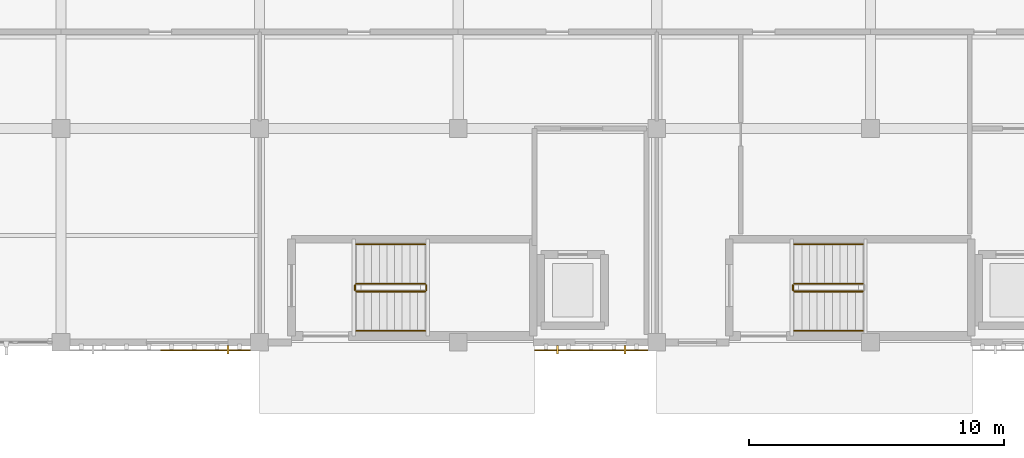
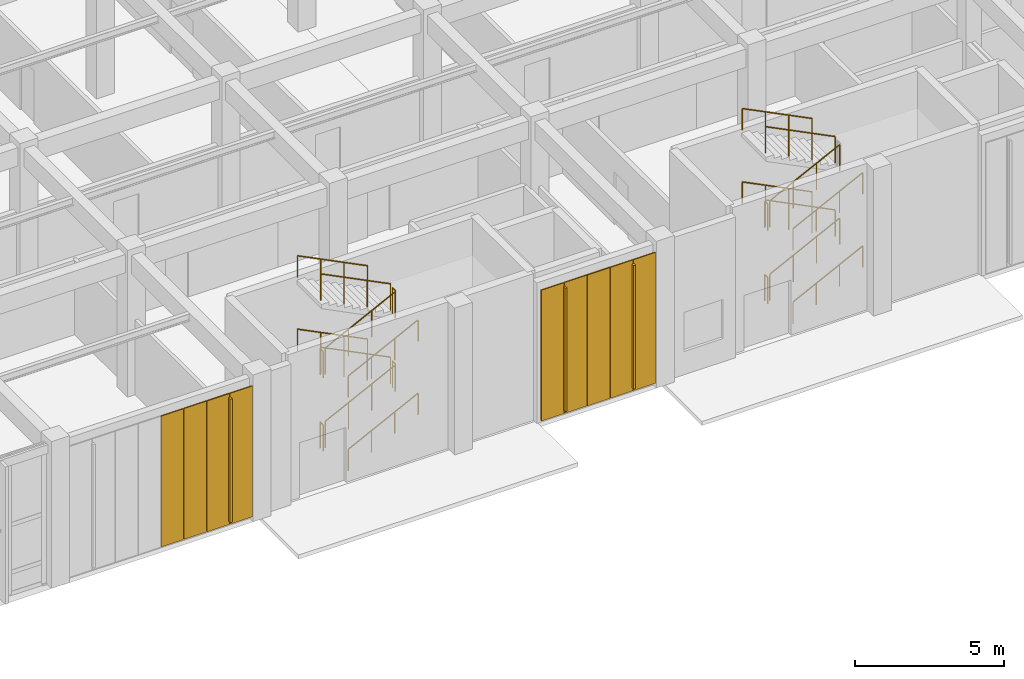
# One storey, part 95 of 110: 22 railings, 9 coverings, 3 shading devices.
"""IFC4 building model written with IfcOpenShell, lengths in metres."""

from ifc_helpers import new_model, si_unit, direction, frame, origin, origin_2d, place, context, subcontext, project, spatial, rectangle, circle, extrude, material, layer, layer_set, type_object, element, save


model = new_model("IFC4")

# Units and contexts
model_context = context("Model", 3, precision=1e-05, world=origin(), true_north=direction((0.0, 1.0)))
body_context = subcontext(model_context, "Body", "Model", "MODEL_VIEW")
ifc_project = project(units=[si_unit("LENGTHUNIT", "METRE"), si_unit("AREAUNIT", "SQUARE_METRE"), si_unit("VOLUMEUNIT", "CUBIC_METRE"), si_unit("PLANEANGLEUNIT", "RADIAN"), si_unit("MASSUNIT", "GRAM", prefix="KILO")], contexts=[model_context])

# Site, building, storey
site_placement = place(None, origin())
site = spatial("IfcSite", under=ifc_project, at=site_placement, CompositionType="ELEMENT")
building_placement = place(site_placement, origin())
building = spatial("IfcBuilding", under=site, at=building_placement, Name="Tizgana Railside Sports Hall", CompositionType="ELEMENT")
storey_placement = place(building_placement, origin())
storey = spatial("IfcBuildingStorey", under=building, at=storey_placement, Name="L00", CompositionType="ELEMENT", Elevation=0.0)

# Shading devices
ifc_material_1 = material(Name="Glulam GL28h", Category="wood")
shading_device_type = type_object("IfcShadingDeviceType", Name="Glulam Vertical Brise-Soleil Fin 320", PredefinedType="JALOUSIE", material=ifc_material_1)
for number, where, z_axis, x_axis, name in (
    (1, (37.75, -0.2939453125, 0.35009765625), (0.0, 0.0, 1.0), (-1.0, 0.0, 0.0), "L00 Glulam Fin FIN-0019"),
    (2, (53.35009765625, -0.2939453125, 0.35009765625), (0.0, 0.0, 1.0), (-1.0, 0.0, 0.0), "L00 Glulam Fin FIN-0021"),
    (3, (50.699951171875, -0.2939453125, 0.35009765625), (0.0, 0.0, 1.0), (-1.0, 0.0, 0.0), "L00 Glulam Fin FIN-0022"),
):
    element("IfcShadingDevice", number, at=place(storey_placement, frame(where, z_axis=z_axis, x_axis=x_axis)), inside=storey, type_object=shading_device_type, Name=name, PredefinedType="JALOUSIE", context=body_context, shape_type="SweptSolid", body=[
        extrude(rectangle(XDim=0.080078125, YDim=0.320068359375, at=origin_2d()), origin(), (0.0, 0.0, 1.0), 5.050048828125),
    ])

# Coverings
ifc_material_2 = material(Name="Anodised perforated aluminium screen", Category="aluminium")
ifc_layer = layer(ifc_material_2, 0.044921875, Name="Anodised perforated aluminium screen")
ifc_layer_set = layer_set([ifc_layer], Name="Anodised perforated aluminium screen")
covering_type = type_object("IfcCoveringType", Name="Perforated Aluminium Hall Screen 900", PredefinedType="CLADDING", material=ifc_layer_set)
for number, where, z_axis, x_axis, name in (
    (4, (38.206298828125, -0.31494140625, 0.199951171875), (0.0, 0.0, 1.0), (-1.0, 0.0, 0.0), "L00 Perforated Screen SCR-0498"),
    (5, (37.31884765625, -0.31494140625, 0.199951171875), (0.0, 0.0, 1.0), (-1.0, 0.0, 0.0), "L00 Perforated Screen SCR-0499"),
    (6, (36.43115234375, -0.31494140625, 0.199951171875), (0.0, 0.0, 1.0), (-1.0, 0.0, 0.0), "L00 Perforated Screen SCR-0500"),
    (7, (35.543701171875, -0.31494140625, 0.199951171875), (0.0, 0.0, 1.0), (-1.0, 0.0, 0.0), "L00 Perforated Screen SCR-0501"),
):
    element("IfcCovering", number, at=place(storey_placement, frame(where, z_axis=z_axis, x_axis=x_axis)), inside=storey, type_object=covering_type, Name=name, PredefinedType="CLADDING", context=body_context, shape_type="SweptSolid", body=[
        extrude(rectangle(XDim=0.869384765625, YDim=0.044921875, at=origin_2d()), origin(), (0.0, 0.0, 1.0), 5.35009765625),
    ])
for number, where, z_axis, x_axis, name in (
    (8, (53.804931640625, -0.31494140625, 0.199951171875), (0.0, 0.0, 1.0), (-1.0, 0.0, 0.0), "L00 Perforated Screen SCR-0506"),
    (9, (52.9150390625, -0.31494140625, 0.199951171875), (0.0, 0.0, 1.0), (-1.0, 0.0, 0.0), "L00 Perforated Screen SCR-0507"),
    (10, (52.02490234375, -0.31494140625, 0.199951171875), (0.0, 0.0, 1.0), (-1.0, 0.0, 0.0), "L00 Perforated Screen SCR-0508"),
    (11, (51.135009765625, -0.31494140625, 0.199951171875), (0.0, 0.0, 1.0), (-1.0, 0.0, 0.0), "L00 Perforated Screen SCR-0509"),
    (12, (50.2451171875, -0.31494140625, 0.199951171875), (0.0, 0.0, 1.0), (-1.0, 0.0, 0.0), "L00 Perforated Screen SCR-0510"),
):
    element("IfcCovering", number, at=place(storey_placement, frame(where, z_axis=z_axis, x_axis=x_axis)), inside=storey, type_object=covering_type, Name=name, PredefinedType="CLADDING", context=body_context, shape_type="SweptSolid", body=[
        extrude(rectangle(XDim=0.8720703125, YDim=0.044921875, at=origin_2d()), origin(), (0.0, 0.0, 1.0), 5.35009765625),
    ])

# Railings
ifc_material_3 = material(Name="Galvanised steel sheet", Category="steel")
railing_type_1 = type_object("IfcRailingType", Name="Safety Balustrade Guard 1100", PredefinedType="BALUSTRADE", material=ifc_material_3)
railing_1_placement = place(storey_placement, frame((42.800048828125, 2.0, 0.14990234375)))
element("IfcRailing", 13, at=railing_1_placement, inside=storey, type_object=railing_type_1, Name="L00 ST-02 stair guard 1", PredefinedType="BALUSTRADE", context=body_context, shape_type="SweptSolid", body=[
    extrude(circle(Radius=0.02392578125, at=origin_2d()), frame((0.0, 0.0, 1.076171875), z_axis=(0.894411015155, 0.0, 0.447245945728), x_axis=(0.0, 1.0, 0.0)), (0.0, 0.0, 1.0), 3.018798828125),
    extrude(circle(Radius=0.02099609375, at=origin_2d()), origin(), (0.0, 0.0, 1.0), 1.052001953125),
    extrude(circle(Radius=0.02099609375, at=origin_2d()), frame((0.89990234375, 0.0, 0.449951171875)), (0.0, 0.0, 1.0), 1.052001953125),
    extrude(circle(Radius=0.02099609375, at=origin_2d()), frame((1.800048828125, 0.0, 0.900146484375)), (0.0, 0.0, 1.0), 1.052001953125),
    extrude(circle(Radius=0.02099609375, at=origin_2d()), frame((2.699951171875, 0.0, 1.35009765625)), (0.0, 0.0, 1.0), 1.052001953125),
])
railing_2_placement = place(storey_placement, frame((45.550048828125, 2.050048828125, 1.5)))
element("IfcRailing", 14, at=railing_2_placement, inside=storey, type_object=railing_type_1, Name="L00 ST-02 stair guard 2", PredefinedType="BALUSTRADE", context=body_context, shape_type="SweptSolid", body=[
    extrude(circle(Radius=0.02392578125, at=origin_2d()), frame((0.0, 0.0, 1.076171875), z_axis=(0.0, 1.0, 0.0), x_axis=(-1.0, 0.0, 0.0)), (0.0, 0.0, 1.0), 0.199951171875),
    extrude(circle(Radius=0.02099609375, at=origin_2d()), origin(), (0.0, 0.0, 1.0), 1.052001953125),
    extrude(circle(Radius=0.02099609375, at=origin_2d()), frame((0.0, 0.199951171875, 0.0)), (0.0, 0.0, 1.0), 1.052001953125),
])
railing_3_placement = place(storey_placement, frame((45.5, 2.300048828125, 1.64990234375)))
element("IfcRailing", 15, at=railing_3_placement, inside=storey, type_object=railing_type_1, Name="L00 ST-02 stair guard 3", PredefinedType="BALUSTRADE", context=body_context, shape_type="SweptSolid", body=[
    extrude(circle(Radius=0.02392578125, at=origin_2d()), frame((0.0, 0.0, 1.076171875), z_axis=(-0.894411015155, 0.0, 0.447245945728), x_axis=(0.0, -1.0, 0.0)), (0.0, 0.0, 1.0), 3.018798828125),
    extrude(circle(Radius=0.02099609375, at=origin_2d()), origin(), (0.0, 0.0, 1.0), 1.052001953125),
    extrude(circle(Radius=0.02099609375, at=origin_2d()), frame((-0.89990234375, 0.0, 0.449951171875)), (0.0, 0.0, 1.0), 1.052001953125),
    extrude(circle(Radius=0.02099609375, at=origin_2d()), frame((-1.800048828125, 0.0, 0.900146484375)), (0.0, 0.0, 1.0), 1.052001953125),
    extrude(circle(Radius=0.02099609375, at=origin_2d()), frame((-2.699951171875, 0.0, 1.35009765625)), (0.0, 0.0, 1.0), 1.052001953125),
])
railing_4_placement = place(storey_placement, frame((42.75, 2.050048828125, 3.0)))
element("IfcRailing", 16, at=railing_4_placement, inside=storey, type_object=railing_type_1, Name="L00 ST-02 stair guard 4", PredefinedType="BALUSTRADE", context=body_context, shape_type="SweptSolid", body=[
    extrude(circle(Radius=0.02392578125, at=origin_2d()), frame((0.0, 0.0, 1.076171875), z_axis=(0.0, 1.0, 0.0), x_axis=(-1.0, 0.0, 0.0)), (0.0, 0.0, 1.0), 0.199951171875),
    extrude(circle(Radius=0.02099609375, at=origin_2d()), origin(), (0.0, 0.0, 1.0), 1.052001953125),
    extrude(circle(Radius=0.02099609375, at=origin_2d()), frame((0.0, 0.199951171875, 0.0)), (0.0, 0.0, 1.0), 1.052001953125),
])
railing_5_placement = place(storey_placement, frame((42.800048828125, 2.0, 3.14990234375)))
element("IfcRailing", 17, at=railing_5_placement, inside=storey, type_object=railing_type_1, Name="L00 ST-02 stair guard 5", PredefinedType="BALUSTRADE", context=body_context, shape_type="SweptSolid", body=[
    extrude(circle(Radius=0.02392578125, at=origin_2d()), frame((0.0, 0.0, 1.076171875), z_axis=(0.894411015155, 0.0, 0.447245945728), x_axis=(0.0, 1.0, 0.0)), (0.0, 0.0, 1.0), 3.018798828125),
    extrude(circle(Radius=0.02099609375, at=origin_2d()), origin(), (0.0, 0.0, 1.0), 1.052001953125),
    extrude(circle(Radius=0.02099609375, at=origin_2d()), frame((0.89990234375, 0.0, 0.449951171875)), (0.0, 0.0, 1.0), 1.052001953125),
    extrude(circle(Radius=0.02099609375, at=origin_2d()), frame((1.800048828125, 0.0, 0.900146484375)), (0.0, 0.0, 1.0), 1.052001953125),
    extrude(circle(Radius=0.02099609375, at=origin_2d()), frame((2.699951171875, 0.0, 1.35009765625)), (0.0, 0.0, 1.0), 1.052001953125),
])
railing_6_placement = place(storey_placement, frame((45.550048828125, 2.050048828125, 4.5)))
element("IfcRailing", 18, at=railing_6_placement, inside=storey, type_object=railing_type_1, Name="L00 ST-02 stair guard 6", PredefinedType="BALUSTRADE", context=body_context, shape_type="SweptSolid", body=[
    extrude(circle(Radius=0.02392578125, at=origin_2d()), frame((0.0, 0.0, 1.076171875), z_axis=(0.0, 1.0, 0.0), x_axis=(-1.0, 0.0, 0.0)), (0.0, 0.0, 1.0), 0.199951171875),
    extrude(circle(Radius=0.02099609375, at=origin_2d()), origin(), (0.0, 0.0, 1.0), 1.052001953125),
    extrude(circle(Radius=0.02099609375, at=origin_2d()), frame((0.0, 0.199951171875, 0.0)), (0.0, 0.0, 1.0), 1.052001953125),
])
railing_7_placement = place(storey_placement, frame((45.5, 2.300048828125, 4.64990234375)))
element("IfcRailing", 19, at=railing_7_placement, inside=storey, type_object=railing_type_1, Name="L00 ST-02 stair guard 7", PredefinedType="BALUSTRADE", context=body_context, shape_type="SweptSolid", body=[
    extrude(circle(Radius=0.02392578125, at=origin_2d()), frame((0.0, 0.0, 1.076171875), z_axis=(-0.894411015155, 0.0, 0.447245945728), x_axis=(0.0, -1.0, 0.0)), (0.0, 0.0, 1.0), 3.018798828125),
    extrude(circle(Radius=0.02099609375, at=origin_2d()), origin(), (0.0, 0.0, 1.0), 1.052001953125),
    extrude(circle(Radius=0.02099609375, at=origin_2d()), frame((-0.89990234375, 0.0, 0.449951171875)), (0.0, 0.0, 1.0), 1.052001953125),
    extrude(circle(Radius=0.02099609375, at=origin_2d()), frame((-1.800048828125, 0.0, 0.900146484375)), (0.0, 0.0, 1.0), 1.052001953125),
    extrude(circle(Radius=0.02099609375, at=origin_2d()), frame((-2.699951171875, 0.0, 1.35009765625)), (0.0, 0.0, 1.0), 1.052001953125),
])
railing_8_placement = place(storey_placement, frame((42.75, 2.050048828125, 0.0)))
element("IfcRailing", 20, at=railing_8_placement, inside=storey, type_object=railing_type_1, Name="L00 ST-02 stair guard 8", PredefinedType="BALUSTRADE", context=body_context, shape_type="SweptSolid", body=[
    extrude(circle(Radius=0.02392578125, at=origin_2d()), frame((0.0, 0.0, 1.076171875), z_axis=(0.0, 1.0, 0.0), x_axis=(-1.0, 0.0, 0.0)), (0.0, 0.0, 1.0), 0.199951171875),
    extrude(circle(Radius=0.02099609375, at=origin_2d()), origin(), (0.0, 0.0, 1.0), 1.052001953125),
    extrude(circle(Radius=0.02099609375, at=origin_2d()), frame((0.0, 0.199951171875, 0.0)), (0.0, 0.0, 1.0), 1.052001953125),
])
railing_9_placement = place(storey_placement, frame((60.0, 2.0, 0.14990234375)))
element("IfcRailing", 21, at=railing_9_placement, inside=storey, type_object=railing_type_1, Name="L00 ST-03 stair guard 1", PredefinedType="BALUSTRADE", context=body_context, shape_type="SweptSolid", body=[
    extrude(circle(Radius=0.02392578125, at=origin_2d()), frame((0.0, 0.0, 1.076171875), z_axis=(0.894411015155, 0.0, 0.447245945728), x_axis=(0.0, 1.0, 0.0)), (0.0, 0.0, 1.0), 3.018798828125),
    extrude(circle(Radius=0.02099609375, at=origin_2d()), origin(), (0.0, 0.0, 1.0), 1.052001953125),
    extrude(circle(Radius=0.02099609375, at=origin_2d()), frame((0.89990234375, 0.0, 0.449951171875)), (0.0, 0.0, 1.0), 1.052001953125),
    extrude(circle(Radius=0.02099609375, at=origin_2d()), frame((1.800048828125, 0.0, 0.900146484375)), (0.0, 0.0, 1.0), 1.052001953125),
    extrude(circle(Radius=0.02099609375, at=origin_2d()), frame((2.699951171875, 0.0, 1.35009765625)), (0.0, 0.0, 1.0), 1.052001953125),
])
railing_10_placement = place(storey_placement, frame((62.699951171875, 2.300048828125, 1.64990234375)))
element("IfcRailing", 22, at=railing_10_placement, inside=storey, type_object=railing_type_1, Name="L00 ST-03 stair guard 3", PredefinedType="BALUSTRADE", context=body_context, shape_type="SweptSolid", body=[
    extrude(circle(Radius=0.02392578125, at=origin_2d()), frame((0.0, 0.0, 1.076171875), z_axis=(-0.894411015155, 0.0, 0.447245945728), x_axis=(0.0, -1.0, 0.0)), (0.0, 0.0, 1.0), 3.018798828125),
    extrude(circle(Radius=0.02099609375, at=origin_2d()), origin(), (0.0, 0.0, 1.0), 1.052001953125),
    extrude(circle(Radius=0.02099609375, at=origin_2d()), frame((-0.89990234375, 0.0, 0.449951171875)), (0.0, 0.0, 1.0), 1.052001953125),
    extrude(circle(Radius=0.02099609375, at=origin_2d()), frame((-1.800048828125, 0.0, 0.900146484375)), (0.0, 0.0, 1.0), 1.052001953125),
    extrude(circle(Radius=0.02099609375, at=origin_2d()), frame((-2.699951171875, 0.0, 1.35009765625)), (0.0, 0.0, 1.0), 1.052001953125),
])
railing_11_placement = place(storey_placement, frame((59.949951171875, 2.050048828125, 3.0)))
element("IfcRailing", 23, at=railing_11_placement, inside=storey, type_object=railing_type_1, Name="L00 ST-03 stair guard 4", PredefinedType="BALUSTRADE", context=body_context, shape_type="SweptSolid", body=[
    extrude(circle(Radius=0.02392578125, at=origin_2d()), frame((0.0, 0.0, 1.076171875), z_axis=(0.0, 1.0, 0.0), x_axis=(-1.0, 0.0, 0.0)), (0.0, 0.0, 1.0), 0.199951171875),
    extrude(circle(Radius=0.02099609375, at=origin_2d()), origin(), (0.0, 0.0, 1.0), 1.052001953125),
    extrude(circle(Radius=0.02099609375, at=origin_2d()), frame((0.0, 0.199951171875, 0.0)), (0.0, 0.0, 1.0), 1.052001953125),
])
railing_12_placement = place(storey_placement, frame((60.0, 2.0, 3.14990234375)))
element("IfcRailing", 24, at=railing_12_placement, inside=storey, type_object=railing_type_1, Name="L00 ST-03 stair guard 5", PredefinedType="BALUSTRADE", context=body_context, shape_type="SweptSolid", body=[
    extrude(circle(Radius=0.02392578125, at=origin_2d()), frame((0.0, 0.0, 1.076171875), z_axis=(0.894411015155, 0.0, 0.447245945728), x_axis=(0.0, 1.0, 0.0)), (0.0, 0.0, 1.0), 3.018798828125),
    extrude(circle(Radius=0.02099609375, at=origin_2d()), origin(), (0.0, 0.0, 1.0), 1.052001953125),
    extrude(circle(Radius=0.02099609375, at=origin_2d()), frame((0.89990234375, 0.0, 0.449951171875)), (0.0, 0.0, 1.0), 1.052001953125),
    extrude(circle(Radius=0.02099609375, at=origin_2d()), frame((1.800048828125, 0.0, 0.900146484375)), (0.0, 0.0, 1.0), 1.052001953125),
    extrude(circle(Radius=0.02099609375, at=origin_2d()), frame((2.699951171875, 0.0, 1.35009765625)), (0.0, 0.0, 1.0), 1.052001953125),
])
railing_13_placement = place(storey_placement, frame((62.699951171875, 2.300048828125, 4.64990234375)))
element("IfcRailing", 25, at=railing_13_placement, inside=storey, type_object=railing_type_1, Name="L00 ST-03 stair guard 7", PredefinedType="BALUSTRADE", context=body_context, shape_type="SweptSolid", body=[
    extrude(circle(Radius=0.02392578125, at=origin_2d()), frame((0.0, 0.0, 1.076171875), z_axis=(-0.894411015155, 0.0, 0.447245945728), x_axis=(0.0, -1.0, 0.0)), (0.0, 0.0, 1.0), 3.018798828125),
    extrude(circle(Radius=0.02099609375, at=origin_2d()), origin(), (0.0, 0.0, 1.0), 1.052001953125),
    extrude(circle(Radius=0.02099609375, at=origin_2d()), frame((-0.89990234375, 0.0, 0.449951171875)), (0.0, 0.0, 1.0), 1.052001953125),
    extrude(circle(Radius=0.02099609375, at=origin_2d()), frame((-1.800048828125, 0.0, 0.900146484375)), (0.0, 0.0, 1.0), 1.052001953125),
    extrude(circle(Radius=0.02099609375, at=origin_2d()), frame((-2.699951171875, 0.0, 1.35009765625)), (0.0, 0.0, 1.0), 1.052001953125),
])
railing_14_placement = place(storey_placement, frame((59.949951171875, 2.050048828125, 0.0)))
element("IfcRailing", 26, at=railing_14_placement, inside=storey, type_object=railing_type_1, Name="L00 ST-03 stair guard 8", PredefinedType="BALUSTRADE", context=body_context, shape_type="SweptSolid", body=[
    extrude(circle(Radius=0.02392578125, at=origin_2d()), frame((0.0, 0.0, 1.076171875), z_axis=(0.0, 1.0, 0.0), x_axis=(-1.0, 0.0, 0.0)), (0.0, 0.0, 1.0), 0.199951171875),
    extrude(circle(Radius=0.02099609375, at=origin_2d()), origin(), (0.0, 0.0, 1.0), 1.052001953125),
    extrude(circle(Radius=0.02099609375, at=origin_2d()), frame((0.0, 0.199951171875, 0.0)), (0.0, 0.0, 1.0), 1.052001953125),
])
ifc_material_4 = material(Name="Brushed stainless steel", Category="steel")
railing_type_2 = type_object("IfcRailingType", Name="Stair & Ramp Wall Handrail 900", PredefinedType="HANDRAIL", material=ifc_material_4)
railing_15_placement = place(storey_placement, frame((42.800048828125, 0.449951171875, 0.14990234375)))
element("IfcRailing", 27, at=railing_15_placement, inside=storey, type_object=railing_type_2, Name="L00 ST-02 stair handrail 1", PredefinedType="HANDRAIL", context=body_context, shape_type="SweptSolid", body=[
    extrude(circle(Radius=0.02392578125, at=origin_2d()), frame((0.0, 0.0, 0.8759765625), z_axis=(0.894411015155, 0.0, 0.447245945728), x_axis=(0.0, 1.0, 0.0)), (0.0, 0.0, 1.0), 3.018798828125),
    extrude(circle(Radius=0.02099609375, at=origin_2d()), origin(), (0.0, 0.0, 1.0), 0.851806640625),
    extrude(circle(Radius=0.02099609375, at=origin_2d()), frame((0.89990234375, 0.0, 0.449951171875)), (0.0, 0.0, 1.0), 0.851806640625),
    extrude(circle(Radius=0.02099609375, at=origin_2d()), frame((1.800048828125, 0.0, 0.900146484375)), (0.0, 0.0, 1.0), 0.851806640625),
    extrude(circle(Radius=0.02099609375, at=origin_2d()), frame((2.699951171875, 0.0, 1.35009765625)), (0.0, 0.0, 1.0), 0.851806640625),
])
railing_16_placement = place(storey_placement, frame((45.5, 3.85009765625, 1.64990234375)))
element("IfcRailing", 28, at=railing_16_placement, inside=storey, type_object=railing_type_2, Name="L00 ST-02 stair handrail 2", PredefinedType="HANDRAIL", context=body_context, shape_type="SweptSolid", body=[
    extrude(circle(Radius=0.02392578125, at=origin_2d()), frame((0.0, 0.0, 0.8759765625), z_axis=(-0.894411015155, 0.0, 0.447245945728), x_axis=(0.0, -1.0, 0.0)), (0.0, 0.0, 1.0), 3.018798828125),
    extrude(circle(Radius=0.02099609375, at=origin_2d()), origin(), (0.0, 0.0, 1.0), 0.851806640625),
    extrude(circle(Radius=0.02099609375, at=origin_2d()), frame((-0.89990234375, 0.0, 0.449951171875)), (0.0, 0.0, 1.0), 0.851806640625),
    extrude(circle(Radius=0.02099609375, at=origin_2d()), frame((-1.800048828125, 0.0, 0.900146484375)), (0.0, 0.0, 1.0), 0.851806640625),
    extrude(circle(Radius=0.02099609375, at=origin_2d()), frame((-2.699951171875, 0.0, 1.35009765625)), (0.0, 0.0, 1.0), 0.851806640625),
])
railing_17_placement = place(storey_placement, frame((42.800048828125, 0.449951171875, 3.14990234375)))
element("IfcRailing", 29, at=railing_17_placement, inside=storey, type_object=railing_type_2, Name="L00 ST-02 stair handrail 3", PredefinedType="HANDRAIL", context=body_context, shape_type="SweptSolid", body=[
    extrude(circle(Radius=0.02392578125, at=origin_2d()), frame((0.0, 0.0, 0.8759765625), z_axis=(0.894411015155, 0.0, 0.447245945728), x_axis=(0.0, 1.0, 0.0)), (0.0, 0.0, 1.0), 3.018798828125),
    extrude(circle(Radius=0.02099609375, at=origin_2d()), origin(), (0.0, 0.0, 1.0), 0.851806640625),
    extrude(circle(Radius=0.02099609375, at=origin_2d()), frame((0.89990234375, 0.0, 0.449951171875)), (0.0, 0.0, 1.0), 0.851806640625),
    extrude(circle(Radius=0.02099609375, at=origin_2d()), frame((1.800048828125, 0.0, 0.900146484375)), (0.0, 0.0, 1.0), 0.851806640625),
    extrude(circle(Radius=0.02099609375, at=origin_2d()), frame((2.699951171875, 0.0, 1.35009765625)), (0.0, 0.0, 1.0), 0.851806640625),
])
railing_18_placement = place(storey_placement, frame((45.5, 3.85009765625, 4.64990234375)))
element("IfcRailing", 30, at=railing_18_placement, inside=storey, type_object=railing_type_2, Name="L00 ST-02 stair handrail 4", PredefinedType="HANDRAIL", context=body_context, shape_type="SweptSolid", body=[
    extrude(circle(Radius=0.02392578125, at=origin_2d()), frame((0.0, 0.0, 0.8759765625), z_axis=(-0.894411015155, 0.0, 0.447245945728), x_axis=(0.0, -1.0, 0.0)), (0.0, 0.0, 1.0), 3.018798828125),
    extrude(circle(Radius=0.02099609375, at=origin_2d()), origin(), (0.0, 0.0, 1.0), 0.851806640625),
    extrude(circle(Radius=0.02099609375, at=origin_2d()), frame((-0.89990234375, 0.0, 0.449951171875)), (0.0, 0.0, 1.0), 0.851806640625),
    extrude(circle(Radius=0.02099609375, at=origin_2d()), frame((-1.800048828125, 0.0, 0.900146484375)), (0.0, 0.0, 1.0), 0.851806640625),
    extrude(circle(Radius=0.02099609375, at=origin_2d()), frame((-2.699951171875, 0.0, 1.35009765625)), (0.0, 0.0, 1.0), 0.851806640625),
])
railing_19_placement = place(storey_placement, frame((60.0, 0.449951171875, 0.14990234375)))
element("IfcRailing", 31, at=railing_19_placement, inside=storey, type_object=railing_type_2, Name="L00 ST-03 stair handrail 1", PredefinedType="HANDRAIL", context=body_context, shape_type="SweptSolid", body=[
    extrude(circle(Radius=0.02392578125, at=origin_2d()), frame((0.0, 0.0, 0.8759765625), z_axis=(0.894411015155, 0.0, 0.447245945728), x_axis=(0.0, 1.0, 0.0)), (0.0, 0.0, 1.0), 3.018798828125),
    extrude(circle(Radius=0.02099609375, at=origin_2d()), origin(), (0.0, 0.0, 1.0), 0.851806640625),
    extrude(circle(Radius=0.02099609375, at=origin_2d()), frame((0.89990234375, 0.0, 0.449951171875)), (0.0, 0.0, 1.0), 0.851806640625),
    extrude(circle(Radius=0.02099609375, at=origin_2d()), frame((1.800048828125, 0.0, 0.900146484375)), (0.0, 0.0, 1.0), 0.851806640625),
    extrude(circle(Radius=0.02099609375, at=origin_2d()), frame((2.699951171875, 0.0, 1.35009765625)), (0.0, 0.0, 1.0), 0.851806640625),
])
railing_20_placement = place(storey_placement, frame((62.699951171875, 3.85009765625, 1.64990234375)))
element("IfcRailing", 32, at=railing_20_placement, inside=storey, type_object=railing_type_2, Name="L00 ST-03 stair handrail 2", PredefinedType="HANDRAIL", context=body_context, shape_type="SweptSolid", body=[
    extrude(circle(Radius=0.02392578125, at=origin_2d()), frame((0.0, 0.0, 0.8759765625), z_axis=(-0.894411015155, 0.0, 0.447245945728), x_axis=(0.0, -1.0, 0.0)), (0.0, 0.0, 1.0), 3.018798828125),
    extrude(circle(Radius=0.02099609375, at=origin_2d()), origin(), (0.0, 0.0, 1.0), 0.851806640625),
    extrude(circle(Radius=0.02099609375, at=origin_2d()), frame((-0.89990234375, 0.0, 0.449951171875)), (0.0, 0.0, 1.0), 0.851806640625),
    extrude(circle(Radius=0.02099609375, at=origin_2d()), frame((-1.800048828125, 0.0, 0.900146484375)), (0.0, 0.0, 1.0), 0.851806640625),
    extrude(circle(Radius=0.02099609375, at=origin_2d()), frame((-2.699951171875, 0.0, 1.35009765625)), (0.0, 0.0, 1.0), 0.851806640625),
])
railing_21_placement = place(storey_placement, frame((60.0, 0.449951171875, 3.14990234375)))
element("IfcRailing", 33, at=railing_21_placement, inside=storey, type_object=railing_type_2, Name="L00 ST-03 stair handrail 3", PredefinedType="HANDRAIL", context=body_context, shape_type="SweptSolid", body=[
    extrude(circle(Radius=0.02392578125, at=origin_2d()), frame((0.0, 0.0, 0.8759765625), z_axis=(0.894411015155, 0.0, 0.447245945728), x_axis=(0.0, 1.0, 0.0)), (0.0, 0.0, 1.0), 3.018798828125),
    extrude(circle(Radius=0.02099609375, at=origin_2d()), origin(), (0.0, 0.0, 1.0), 0.851806640625),
    extrude(circle(Radius=0.02099609375, at=origin_2d()), frame((0.89990234375, 0.0, 0.449951171875)), (0.0, 0.0, 1.0), 0.851806640625),
    extrude(circle(Radius=0.02099609375, at=origin_2d()), frame((1.800048828125, 0.0, 0.900146484375)), (0.0, 0.0, 1.0), 0.851806640625),
    extrude(circle(Radius=0.02099609375, at=origin_2d()), frame((2.699951171875, 0.0, 1.35009765625)), (0.0, 0.0, 1.0), 0.851806640625),
])
railing_22_placement = place(storey_placement, frame((62.699951171875, 3.85009765625, 4.64990234375)))
element("IfcRailing", 34, at=railing_22_placement, inside=storey, type_object=railing_type_2, Name="L00 ST-03 stair handrail 4", PredefinedType="HANDRAIL", context=body_context, shape_type="SweptSolid", body=[
    extrude(circle(Radius=0.02392578125, at=origin_2d()), frame((0.0, 0.0, 0.8759765625), z_axis=(-0.894411015155, 0.0, 0.447245945728), x_axis=(0.0, -1.0, 0.0)), (0.0, 0.0, 1.0), 3.018798828125),
    extrude(circle(Radius=0.02099609375, at=origin_2d()), origin(), (0.0, 0.0, 1.0), 0.851806640625),
    extrude(circle(Radius=0.02099609375, at=origin_2d()), frame((-0.89990234375, 0.0, 0.449951171875)), (0.0, 0.0, 1.0), 0.851806640625),
    extrude(circle(Radius=0.02099609375, at=origin_2d()), frame((-1.800048828125, 0.0, 0.900146484375)), (0.0, 0.0, 1.0), 0.851806640625),
    extrude(circle(Radius=0.02099609375, at=origin_2d()), frame((-2.699951171875, 0.0, 1.35009765625)), (0.0, 0.0, 1.0), 0.851806640625),
])

save(model, "model.ifc")
